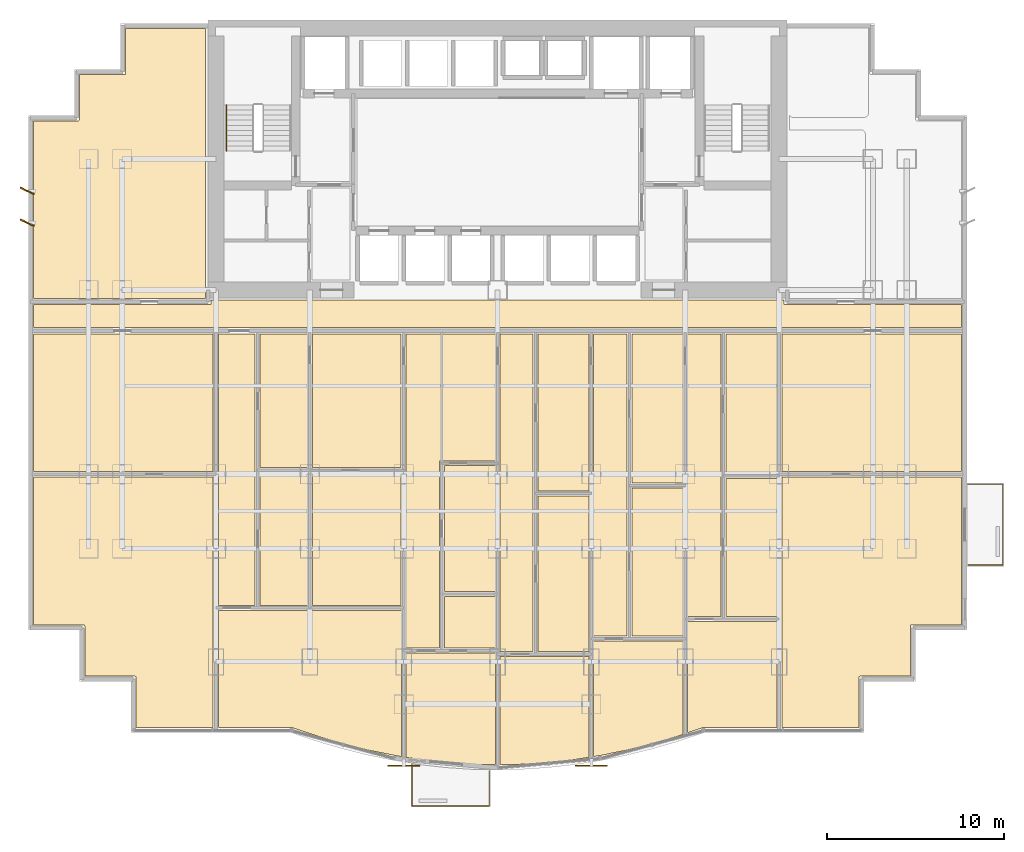
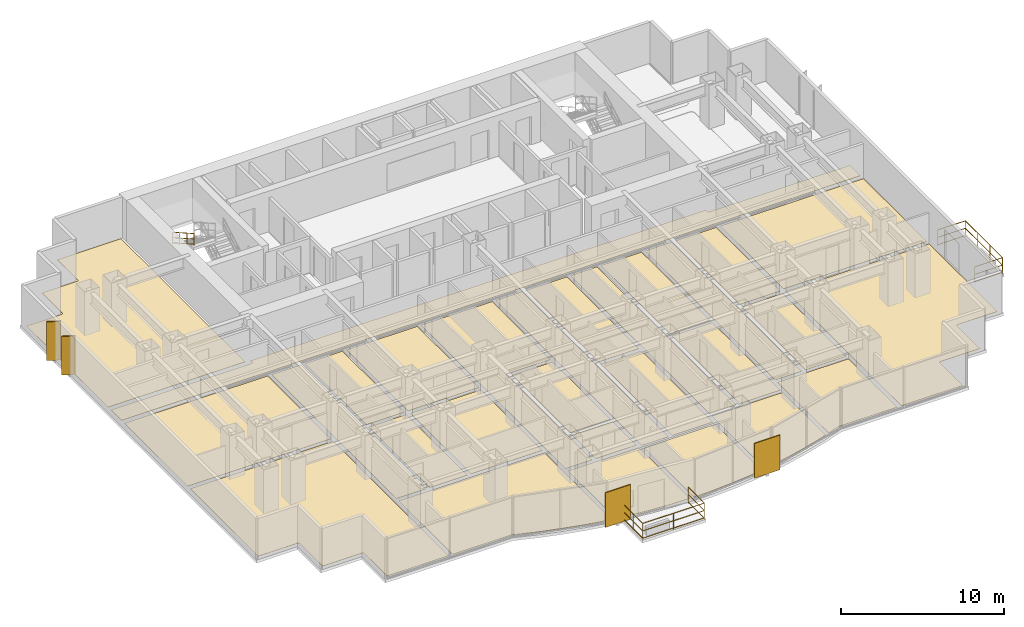
# One storey, part 9 of 10: 28 coverings, 4 shading devices, 3 railings.
"""IFC4 building model written with IfcOpenShell, lengths in metres."""

from ifc_helpers import new_model, si_unit, direction, frame, origin, origin_2d, place, context, subcontext, project, spatial, polyline, rectangle, circle, outline, extrude, source, transform, mapped, material, layer, layer_set, type_object, element, save


model = new_model("IFC4")

# Units and contexts
model_context = context("Model", 3, precision=1e-05, world=origin(), true_north=direction((0.0, 1.0)))
body_context = subcontext(model_context, "Body", "Model", "MODEL_VIEW")
ifc_project = project(units=[si_unit("LENGTHUNIT", "METRE"), si_unit("AREAUNIT", "SQUARE_METRE"), si_unit("VOLUMEUNIT", "CUBIC_METRE"), si_unit("PLANEANGLEUNIT", "RADIAN"), si_unit("MASSUNIT", "GRAM", prefix="KILO")], contexts=[model_context])

# Site, building, storey
site_placement = place(None, origin())
site = spatial("IfcSite", under=ifc_project, at=site_placement, CompositionType="ELEMENT")
building_placement = place(site_placement, origin())
building = spatial("IfcBuilding", under=site, at=building_placement, Name="Qianlan Lanfeng Residences", CompositionType="ELEMENT")
storey_placement = place(building_placement, frame((0.0, 0.0, 53.89990234375)))
storey = spatial("IfcBuildingStorey", under=building, at=storey_placement, Name="L14", CompositionType="ELEMENT", Elevation=53.89990234375)

# Coverings
ifc_material_1 = material(Name="Honed Taitung Granite Stone Flooring", Category="masonry")
ifc_layer_1 = layer(ifc_material_1, 0.030029296875)
ifc_layer_set_1 = layer_set([ifc_layer_1], Name="Honed Taitung Granite Stone Flooring")
covering_type_1 = type_object("IfcCoveringType", Name="FLR-STN-30", PredefinedType="FLOORING", material=ifc_layer_set_1)
covering_1_placement = place(storey_placement, origin())
element("IfcCovering", 1, at=covering_1_placement, inside=storey, type_object=covering_type_1, Name="L14 Residential Corridor Floor Finish", PredefinedType="FLOORING", context=body_context, shape_type="SweptSolid", body=[
    extrude(outline(polyline([(0.2900390625, 23.080078125), (52.7099609375, 23.080078125), (52.7099609375, 24.3701171875), (42.739990234375, 24.3701171875), (42.73291015625, 24.3701171875), (42.72607421875, 24.37109375), (42.719970703125, 24.373046875), (42.712890625, 24.375), (42.70703125, 24.3779296875), (42.700927734375, 24.382080078125), (42.696044921875, 24.385986328125), (42.69091796875, 24.39111328125), (42.68603515625, 24.39599609375), (42.681884765625, 24.40087890625), (42.677978515625, 24.406982421875), (42.675048828125, 24.4130859375), (42.673095703125, 24.419921875), (42.6708984375, 24.426025390625), (42.669921875, 24.43310546875), (42.669921875, 24.43994140625), (42.669921875, 24.64990234375), (10.330078125, 24.64990234375), (10.330078125, 24.43994140625), (10.330078125, 24.43310546875), (10.3291015625, 24.426025390625), (10.326904296875, 24.419921875), (10.324951171875, 24.4130859375), (10.322021484375, 24.406982421875), (10.318115234375, 24.40087890625), (10.31396484375, 24.39599609375), (10.30908203125, 24.39111328125), (10.303955078125, 24.385986328125), (10.299072265625, 24.382080078125), (10.29296875, 24.3779296875), (10.287109375, 24.375), (10.280029296875, 24.373046875), (10.27392578125, 24.37109375), (10.26708984375, 24.3701171875), (10.260009765625, 24.3701171875), (0.2900390625, 24.3701171875), (0.2900390625, 23.080078125)])), origin(), (0.0, 0.0, 1.0), 0.030029296875),
])
ifc_material_2 = material(Name="Slip-Resistant Porcelain Tile Flooring")
ifc_layer_2 = layer(ifc_material_2, 0.02001953125)
ifc_layer_set_2 = layer_set([ifc_layer_2], Name="Slip-Resistant Porcelain Tile Flooring")
covering_type_2 = type_object("IfcCoveringType", Name="FLR-TIL-20", PredefinedType="FLOORING", material=ifc_layer_set_2)
covering_2_placement = place(storey_placement, origin())
element("IfcCovering", 2, at=covering_2_placement, inside=storey, type_object=covering_type_2, Name="L14 Kitchen Floor Finish", PredefinedType="FLOORING", context=body_context, shape_type="SweptSolid", body=[
    extrude(outline(polyline([(13.090087890625, 7.386962890625), (15.760009765625, 7.386962890625), (15.760009765625, 14.884033203125), (13.090087890625, 14.884033203125), (13.090087890625, 7.386962890625)])), origin(), (0.0, 0.0, 1.0), 0.02001953125),
])
covering_3_placement = place(storey_placement, origin())
element("IfcCovering", 3, at=covering_3_placement, inside=storey, type_object=covering_type_2, Name="L14 Bathroom Floor Finish", PredefinedType="FLOORING", context=body_context, shape_type="SweptSolid", body=[
    extrude(outline(polyline([(13.090087890625, 15.1640625), (15.760009765625, 15.1640625), (15.760009765625, 22.72998046875), (13.090087890625, 22.72998046875), (13.090087890625, 15.1640625)])), origin(), (0.0, 0.0, 1.0), 0.02001953125),
])
covering_4_placement = place(storey_placement, origin())
element("IfcCovering", 4, at=covering_4_placement, inside=storey, type_object=covering_type_2, Name="L14 En-Suite Bathroom Floor Finish", PredefinedType="FLOORING", context=body_context, shape_type="SweptSolid", body=[
    extrude(outline(polyline([(23.489990234375, 4.97412109375), (26.3701171875, 4.97412109375), (26.3701171875, 7.89404296875), (23.489990234375, 7.89404296875), (23.489990234375, 4.97412109375)])), origin(), (0.0, 0.0, 1.0), 0.02001953125),
])
ifc_material_3 = material(Name="Engineered Smoked Oak Timber Flooring", Category="wood")
ifc_layer_3 = layer(ifc_material_3, 0.02197265625)
ifc_layer_set_3 = layer_set([ifc_layer_3], Name="Engineered Smoked Oak Timber Flooring")
covering_type_3 = type_object("IfcCoveringType", Name="FLR-TIM-22", PredefinedType="FLOORING", material=ifc_layer_set_3)
covering_5_placement = place(storey_placement, origin())
element("IfcCovering", 5, at=covering_5_placement, inside=storey, type_object=covering_type_3, Name="L14 Living and Dining Room Floor Finish", PredefinedType="FLOORING", context=body_context, shape_type="SweptSolid", body=[
    extrude(outline(polyline([(10.72998046875, 7.10693359375), (10.72998046875, 0.489990234375), (14.885986328125, 0.489990234375), (14.89404296875, 0.489990234375), (14.90087890625, 0.488037109375), (14.908935546875, 0.486083984375), (16.39306640625, -0.014892578125), (17.837890625, -0.43896484375), (19.282958984375, -0.797119140625), (20.72607421875, -1.090087890625), (21.070068359375, -1.14404296875), (21.070068359375, 7.10693359375), (10.72998046875, 7.10693359375)])), origin(), (0.0, 0.0, 1.0), 0.022216796875),
])
covering_6_placement = place(storey_placement, origin())
element("IfcCovering", 6, at=covering_6_placement, inside=storey, type_object=covering_type_3, Name="L14 Family Sitting Room Floor Finish", PredefinedType="FLOORING", context=body_context, shape_type="SweptSolid", body=[
    extrude(outline(polyline([(10.72998046875, 7.386962890625), (12.81005859375, 7.386962890625), (12.81005859375, 22.72998046875), (10.72998046875, 22.72998046875), (10.72998046875, 7.386962890625)])), origin(), (0.0, 0.0, 1.0), 0.022216796875),
])
covering_7_placement = place(storey_placement, origin())
element("IfcCovering", 7, at=covering_7_placement, inside=storey, type_object=covering_type_3, Name="L14 Yoga Studio Floor Finish", PredefinedType="FLOORING", context=body_context, shape_type="SweptSolid", body=[
    extrude(outline(polyline([(16.0400390625, 7.386962890625), (21.06005859375, 7.386962890625), (21.06005859375, 14.884033203125), (16.0400390625, 14.884033203125), (16.0400390625, 7.386962890625)])), origin(), (0.0, 0.0, 1.0), 0.022216796875),
])
covering_8_placement = place(storey_placement, origin())
element("IfcCovering", 8, at=covering_8_placement, inside=storey, type_object=covering_type_3, Name="L14 Club Reading Salon Floor Finish", PredefinedType="FLOORING", context=body_context, shape_type="SweptSolid", body=[
    extrude(outline(polyline([(16.0400390625, 15.1640625), (21.06005859375, 15.1640625), (21.06005859375, 22.72998046875), (16.0400390625, 22.72998046875), (16.0400390625, 15.1640625)])), origin(), (0.0, 0.0, 1.0), 0.022216796875),
])
covering_9_placement = place(storey_placement, origin())
element("IfcCovering", 9, at=covering_9_placement, inside=storey, type_object=covering_type_3, Name="L14 Private Study Floor Finish", PredefinedType="FLOORING", context=body_context, shape_type="SweptSolid", body=[
    extrude(outline(polyline([(23.489990234375, 8.174072265625), (26.3701171875, 8.174072265625), (26.3701171875, 15.277099609375), (23.489990234375, 15.277099609375), (23.489990234375, 8.174072265625)])), origin(), (0.0, 0.0, 1.0), 0.022216796875),
])
covering_10_placement = place(storey_placement, origin())
element("IfcCovering", 10, at=covering_10_placement, inside=storey, type_object=covering_type_3, Name="L14 Villa Family Sitting Room Floor Finish", PredefinedType="FLOORING", context=body_context, shape_type="SweptSolid", body=[
    extrude(outline(polyline([(21.330078125, 4.97412109375), (23.2099609375, 4.97412109375), (23.2099609375, 15.487060546875), (23.2099609375, 15.493896484375), (23.2109375, 15.5009765625), (23.212890625, 15.507080078125), (23.215087890625, 15.513916015625), (23.218017578125, 15.52001953125), (23.221923828125, 15.52587890625), (23.22607421875, 15.531005859375), (23.23095703125, 15.535888671875), (23.236083984375, 15.541015625), (23.240966796875, 15.544921875), (23.2470703125, 15.549072265625), (23.2529296875, 15.552001953125), (23.260009765625, 15.553955078125), (23.26611328125, 15.555908203125), (23.27294921875, 15.556884765625), (23.280029296875, 15.556884765625), (26.3701171875, 15.556884765625), (26.3701171875, 22.72998046875), (21.330078125, 22.72998046875), (21.330078125, 4.97412109375)])), origin(), (0.0, 0.0, 1.0), 0.022216796875),
])
covering_11_placement = place(storey_placement, origin())
element("IfcCovering", 11, at=covering_11_placement, inside=storey, type_object=covering_type_3, Name="L14 Master Bedroom Floor Finish", PredefinedType="FLOORING", context=body_context, shape_type="SweptSolid", body=[
    extrude(outline(polyline([(21.330078125, 4.694091796875), (21.330078125, -1.18505859375), (22.169921875, -1.318115234375), (23.613037109375, -1.47998046875), (25.056884765625, -1.576904296875), (26.3701171875, -1.60693359375), (26.3701171875, 4.694091796875), (21.330078125, 4.694091796875)])), origin(), (0.0, 0.0, 1.0), 0.022216796875),
])
covering_12_placement = place(storey_placement, origin())
element("IfcCovering", 12, at=covering_12_placement, inside=storey, type_object=covering_type_3, Name="L14 Guest Bedroom Floor Finish", PredefinedType="FLOORING", context=body_context, shape_type="SweptSolid", body=[
    extrude(outline(polyline([(26.6298828125, 4.493896484375), (26.6298828125, -1.60693359375), (27.943115234375, -1.576904296875), (29.385986328125, -1.47998046875), (30.830078125, -1.318115234375), (31.669921875, -1.18505859375), (31.669921875, 4.493896484375), (26.6298828125, 4.493896484375)])), origin(), (0.0, 0.0, 1.0), 0.022216796875),
])
covering_13_placement = place(storey_placement, origin())
element("IfcCovering", 13, at=covering_13_placement, inside=storey, type_object=covering_type_3, Name="L14 Private Study Floor Finish", PredefinedType="FLOORING", context=body_context, shape_type="SweptSolid", body=[
    extrude(outline(polyline([(28.7900390625, 4.77392578125), (31.669921875, 4.77392578125), (31.669921875, 13.576904296875), (28.7900390625, 13.576904296875), (28.7900390625, 4.77392578125)])), origin(), (0.0, 0.0, 1.0), 0.022216796875),
])
covering_14_placement = place(storey_placement, origin())
element("IfcCovering", 14, at=covering_14_placement, inside=storey, type_object=covering_type_3, Name="L14 Yoga Studio Floor Finish", PredefinedType="FLOORING", context=body_context, shape_type="SweptSolid", body=[
    extrude(outline(polyline([(28.7900390625, 13.85693359375), (31.669921875, 13.85693359375), (31.669921875, 22.72998046875), (28.7900390625, 22.72998046875), (28.7900390625, 13.85693359375)])), origin(), (0.0, 0.0, 1.0), 0.022216796875),
])
covering_15_placement = place(storey_placement, origin())
element("IfcCovering", 15, at=covering_15_placement, inside=storey, type_object=covering_type_3, Name="L14 Home Office Floor Finish", PredefinedType="FLOORING", context=body_context, shape_type="SweptSolid", body=[
    extrude(outline(polyline([(26.6298828125, 4.77392578125), (28.510009765625, 4.77392578125), (28.510009765625, 22.72998046875), (26.6298828125, 22.72998046875), (26.6298828125, 4.77392578125)])), origin(), (0.0, 0.0, 1.0), 0.022216796875),
])
covering_16_placement = place(storey_placement, origin())
element("IfcCovering", 16, at=covering_16_placement, inside=storey, type_object=covering_type_3, Name="L14 Guest Bedroom Floor Finish", PredefinedType="FLOORING", context=body_context, shape_type="SweptSolid", body=[
    extrude(outline(polyline([(31.929931640625, 5.373046875), (31.929931640625, -1.14404296875), (32.27392578125, -1.090087890625), (33.717041015625, -0.797119140625), (35.160888671875, -0.43896484375), (36.60693359375, -0.014892578125), (36.969970703125, 0.10693359375), (36.969970703125, 5.373046875), (31.929931640625, 5.373046875)])), origin(), (0.0, 0.0, 1.0), 0.022216796875),
])
covering_17_placement = place(storey_placement, origin())
element("IfcCovering", 17, at=covering_17_placement, inside=storey, type_object=covering_type_3, Name="L14 Private Study Floor Finish", PredefinedType="FLOORING", context=body_context, shape_type="SweptSolid", body=[
    extrude(outline(polyline([(34.090087890625, 5.653076171875), (36.969970703125, 5.653076171875), (36.969970703125, 14.01708984375), (34.090087890625, 14.01708984375), (34.090087890625, 5.653076171875)])), origin(), (0.0, 0.0, 1.0), 0.022216796875),
])
covering_18_placement = place(storey_placement, origin())
element("IfcCovering", 18, at=covering_18_placement, inside=storey, type_object=covering_type_3, Name="L14 Yoga Studio Floor Finish", PredefinedType="FLOORING", context=body_context, shape_type="SweptSolid", body=[
    extrude(outline(polyline([(34.090087890625, 14.297119140625), (36.969970703125, 14.297119140625), (36.969970703125, 22.72998046875), (34.090087890625, 22.72998046875), (34.090087890625, 14.297119140625)])), origin(), (0.0, 0.0, 1.0), 0.022216796875),
])
covering_19_placement = place(storey_placement, origin())
element("IfcCovering", 19, at=covering_19_placement, inside=storey, type_object=covering_type_3, Name="L14 Home Office Floor Finish", PredefinedType="FLOORING", context=body_context, shape_type="SweptSolid", body=[
    extrude(outline(polyline([(31.929931640625, 5.653076171875), (33.81005859375, 5.653076171875), (33.81005859375, 22.72998046875), (31.929931640625, 22.72998046875), (31.929931640625, 5.653076171875)])), origin(), (0.0, 0.0, 1.0), 0.022216796875),
])
covering_20_placement = place(storey_placement, origin())
element("IfcCovering", 20, at=covering_20_placement, inside=storey, type_object=covering_type_3, Name="L14 Guest Bedroom Floor Finish", PredefinedType="FLOORING", context=body_context, shape_type="SweptSolid", body=[
    extrude(outline(polyline([(37.22998046875, 6.47998046875), (37.22998046875, 0.195068359375), (38.091064453125, 0.486083984375), (38.09912109375, 0.488037109375), (38.10595703125, 0.489990234375), (38.114013671875, 0.489990234375), (42.27001953125, 0.489990234375), (42.27001953125, 6.47998046875), (37.22998046875, 6.47998046875)])), origin(), (0.0, 0.0, 1.0), 0.022216796875),
])
covering_21_placement = place(storey_placement, origin())
element("IfcCovering", 21, at=covering_21_placement, inside=storey, type_object=covering_type_3, Name="L14 Private Study Floor Finish", PredefinedType="FLOORING", context=body_context, shape_type="SweptSolid", body=[
    extrude(outline(polyline([(39.389892578125, 6.760009765625), (42.27001953125, 6.760009765625), (42.27001953125, 14.570068359375), (39.389892578125, 14.570068359375), (39.389892578125, 6.760009765625)])), origin(), (0.0, 0.0, 1.0), 0.022216796875),
])
covering_22_placement = place(storey_placement, origin())
element("IfcCovering", 22, at=covering_22_placement, inside=storey, type_object=covering_type_3, Name="L14 Yoga Studio Floor Finish", PredefinedType="FLOORING", context=body_context, shape_type="SweptSolid", body=[
    extrude(outline(polyline([(39.389892578125, 14.85009765625), (42.27001953125, 14.85009765625), (42.27001953125, 22.72998046875), (39.389892578125, 22.72998046875), (39.389892578125, 14.85009765625)])), origin(), (0.0, 0.0, 1.0), 0.022216796875),
])
covering_23_placement = place(storey_placement, origin())
element("IfcCovering", 23, at=covering_23_placement, inside=storey, type_object=covering_type_3, Name="L14 Home Office Floor Finish", PredefinedType="FLOORING", context=body_context, shape_type="SweptSolid", body=[
    extrude(outline(polyline([(37.22998046875, 6.760009765625), (39.110107421875, 6.760009765625), (39.110107421875, 22.72998046875), (37.22998046875, 22.72998046875), (37.22998046875, 6.760009765625)])), origin(), (0.0, 0.0, 1.0), 0.022216796875),
])
covering_24_placement = place(storey_placement, origin())
element("IfcCovering", 24, at=covering_24_placement, inside=storey, type_object=covering_type_3, Name="L14 Sunroom Floor Finish", PredefinedType="FLOORING", context=body_context, shape_type="SweptSolid", body=[
    extrude(outline(polyline([(10.43994140625, 14.64990234375), (0.2900390625, 14.64990234375), (0.2900390625, 6.2900390625), (3.1201171875, 6.2900390625), (3.126953125, 6.2900390625), (3.134033203125, 6.2890625), (3.139892578125, 6.287109375), (3.14697265625, 6.284912109375), (3.153076171875, 6.281982421875), (3.158935546875, 6.278076171875), (3.1640625, 6.27392578125), (3.1689453125, 6.26904296875), (3.174072265625, 6.263916015625), (3.177978515625, 6.259033203125), (3.181884765625, 6.2529296875), (3.18505859375, 6.2470703125), (3.18701171875, 6.239990234375), (3.18896484375, 6.23388671875), (3.18994140625, 6.22705078125), (3.18994140625, 6.219970703125), (3.18994140625, 3.389892578125), (6.02001953125, 3.389892578125), (6.027099609375, 3.389892578125), (6.033935546875, 3.388916015625), (6.0400390625, 3.386962890625), (6.047119140625, 3.385009765625), (6.052978515625, 3.382080078125), (6.05908203125, 3.3779296875), (6.06396484375, 3.3740234375), (6.069091796875, 3.368896484375), (6.073974609375, 3.364013671875), (6.077880859375, 3.35888671875), (6.08203125, 3.35302734375), (6.0849609375, 3.346923828125), (6.0869140625, 3.340087890625), (6.089111328125, 3.333984375), (6.090087890625, 3.326904296875), (6.090087890625, 3.320068359375), (6.090087890625, 0.489990234375), (10.43994140625, 0.489990234375), (10.43994140625, 14.64990234375)])), origin(), (0.0, 0.0, 1.0), 0.022216796875),
])
covering_25_placement = place(storey_placement, origin())
element("IfcCovering", 25, at=covering_25_placement, inside=storey, type_object=covering_type_3, Name="L14 Family Sitting Room Floor Finish", PredefinedType="FLOORING", context=body_context, shape_type="SweptSolid", body=[
    extrude(outline(polyline([(10.43994140625, 22.72998046875), (0.2900390625, 22.72998046875), (0.2900390625, 14.949951171875), (10.43994140625, 14.949951171875), (10.43994140625, 22.72998046875)])), origin(), (0.0, 0.0, 1.0), 0.022216796875),
])
covering_26_placement = place(storey_placement, origin())
element("IfcCovering", 26, at=covering_26_placement, inside=storey, type_object=covering_type_3, Name="L14 Sunroom Floor Finish", PredefinedType="FLOORING", context=body_context, shape_type="SweptSolid", body=[
    extrude(outline(polyline([(52.7099609375, 14.64990234375), (42.56005859375, 14.64990234375), (42.56005859375, 0.489990234375), (46.909912109375, 0.489990234375), (46.909912109375, 3.320068359375), (46.909912109375, 3.326904296875), (46.910888671875, 3.333984375), (46.9130859375, 3.340087890625), (46.9150390625, 3.346923828125), (46.91796875, 3.35302734375), (46.922119140625, 3.35888671875), (46.926025390625, 3.364013671875), (46.930908203125, 3.368896484375), (46.93603515625, 3.3740234375), (46.94091796875, 3.3779296875), (46.947021484375, 3.382080078125), (46.952880859375, 3.385009765625), (46.9599609375, 3.386962890625), (46.966064453125, 3.388916015625), (46.972900390625, 3.389892578125), (46.97998046875, 3.389892578125), (49.81005859375, 3.389892578125), (49.81005859375, 6.219970703125), (49.81005859375, 6.22705078125), (49.81103515625, 6.23388671875), (49.81298828125, 6.239990234375), (49.81494140625, 6.2470703125), (49.818115234375, 6.2529296875), (49.822021484375, 6.259033203125), (49.825927734375, 6.263916015625), (49.8310546875, 6.26904296875), (49.8359375, 6.27392578125), (49.841064453125, 6.278076171875), (49.846923828125, 6.281982421875), (49.85302734375, 6.284912109375), (49.860107421875, 6.287109375), (49.865966796875, 6.2890625), (49.873046875, 6.2900390625), (49.8798828125, 6.2900390625), (52.7099609375, 6.2900390625), (52.7099609375, 14.64990234375)])), origin(), (0.0, 0.0, 1.0), 0.022216796875),
])
covering_27_placement = place(storey_placement, origin())
element("IfcCovering", 27, at=covering_27_placement, inside=storey, type_object=covering_type_3, Name="L14 Private Study Floor Finish", PredefinedType="FLOORING", context=body_context, shape_type="SweptSolid", body=[
    extrude(outline(polyline([(52.7099609375, 22.72998046875), (42.56005859375, 22.72998046875), (42.56005859375, 14.949951171875), (52.7099609375, 14.949951171875), (52.7099609375, 22.72998046875)])), origin(), (0.0, 0.0, 1.0), 0.022216796875),
])
covering_28_placement = place(storey_placement, origin())
element("IfcCovering", 28, at=covering_28_placement, inside=storey, type_object=covering_type_3, Name="L14 Yoga Studio Floor Finish", PredefinedType="FLOORING", context=body_context, shape_type="SweptSolid", body=[
    extrude(outline(polyline([(10.0, 24.719970703125), (10.0, 39.9599609375), (5.489990234375, 39.9599609375), (5.489990234375, 37.429931640625), (5.489990234375, 37.423095703125), (5.489013671875, 37.416015625), (5.487060546875, 37.409912109375), (5.485107421875, 37.403076171875), (5.48193359375, 37.39697265625), (5.47802734375, 37.39111328125), (5.47412109375, 37.385986328125), (5.468994140625, 37.381103515625), (5.464111328125, 37.3759765625), (5.458984375, 37.3720703125), (5.452880859375, 37.367919921875), (5.447021484375, 37.364990234375), (5.43994140625, 37.363037109375), (5.43408203125, 37.361083984375), (5.427001953125, 37.360107421875), (5.419921875, 37.360107421875), (2.889892578125, 37.360107421875), (2.889892578125, 34.830078125), (2.889892578125, 34.822998046875), (2.888916015625, 34.81591796875), (2.886962890625, 34.81005859375), (2.885009765625, 34.802978515625), (2.882080078125, 34.797119140625), (2.8779296875, 34.791015625), (2.8740234375, 34.785888671875), (2.868896484375, 34.781005859375), (2.864013671875, 34.77587890625), (2.85888671875, 34.77197265625), (2.85302734375, 34.76806640625), (2.846923828125, 34.764892578125), (2.840087890625, 34.762939453125), (2.833984375, 34.760986328125), (2.826904296875, 34.760009765625), (2.820068359375, 34.760009765625), (0.2900390625, 34.760009765625), (0.2900390625, 24.719970703125), (10.0, 24.719970703125)])), origin(), (0.0, 0.0, 1.0), 0.022216796875),
])

# Railings
ifc_material_4 = material(Name="Anodised Bronze Aluminium and Laminated Glass Guard Balustrade", Category="aluminium")
railing_type_1 = type_object("IfcRailingType", Name="GR-EXT-1220", PredefinedType="BALUSTRADE", material=ifc_material_4)
railing_1_placement = place(storey_placement, frame((26.030029296875, -1.958984375, 0.0)))
element("IfcRailing", 29, at=railing_1_placement, inside=storey, type_object=railing_type_1, Name="L14 Terrace Safety Guard GR-L14-SB-C", PredefinedType="BALUSTRADE", context=body_context, shape_type="SweptSolid", body=[
    extrude(circle(Radius=0.02490234375, at=origin_2d()), frame((0.0, 0.0, 0.0849609375), z_axis=(0.0, -1.0, 0.0), x_axis=(1.0, 0.0, 0.0)), (0.0, 0.0, 1.0), 1.970947265625),
    extrude(circle(Radius=0.02490234375, at=origin_2d()), frame((0.0, 0.0, 0.63427734375), z_axis=(0.0, -1.0, 0.0), x_axis=(1.0, 0.0, 0.0)), (0.0, 0.0, 1.0), 1.970947265625),
    extrude(circle(Radius=0.02490234375, at=origin_2d()), frame((0.0, 0.0, 1.19482421875), z_axis=(0.0, -1.0, 0.0), x_axis=(1.0, 0.0, 0.0)), (0.0, 0.0, 1.0), 1.970947265625),
    extrude(circle(Radius=0.02490234375, at=origin_2d()), frame((0.0, -1.970947265625, 0.0849609375), z_axis=(-1.0, 0.0, 0.0), x_axis=(0.0, -1.0, 0.0)), (0.0, 0.0, 1.0), 4.360107421875),
    extrude(circle(Radius=0.02490234375, at=origin_2d()), frame((0.0, -1.970947265625, 0.63427734375), z_axis=(-1.0, 0.0, 0.0), x_axis=(0.0, -1.0, 0.0)), (0.0, 0.0, 1.0), 4.360107421875),
    extrude(circle(Radius=0.02490234375, at=origin_2d()), frame((0.0, -1.970947265625, 1.19482421875), z_axis=(-1.0, 0.0, 0.0), x_axis=(0.0, -1.0, 0.0)), (0.0, 0.0, 1.0), 4.360107421875),
    extrude(circle(Radius=0.02490234375, at=origin_2d()), frame((-4.360107421875, -1.970947265625, 0.0849609375), z_axis=(0.0, 1.0, 0.0), x_axis=(-1.0, 0.0, 0.0)), (0.0, 0.0, 1.0), 2.326904296875),
    extrude(circle(Radius=0.02490234375, at=origin_2d()), frame((-4.360107421875, -1.970947265625, 0.63427734375), z_axis=(0.0, 1.0, 0.0), x_axis=(-1.0, 0.0, 0.0)), (0.0, 0.0, 1.0), 2.326904296875),
    extrude(circle(Radius=0.02490234375, at=origin_2d()), frame((-4.360107421875, -1.970947265625, 1.19482421875), z_axis=(0.0, 1.0, 0.0), x_axis=(-1.0, 0.0, 0.0)), (0.0, 0.0, 1.0), 2.326904296875),
    extrude(circle(Radius=0.02099609375, at=origin_2d()), origin(), (0.0, 0.0, 1.0), 1.169921875),
    extrude(circle(Radius=0.02099609375, at=origin_2d()), frame((0.0, -1.970947265625, 0.0)), (0.0, 0.0, 1.0), 1.169921875),
    extrude(circle(Radius=0.02099609375, at=origin_2d()), frame((-2.18017578125, -1.970947265625, 0.0)), (0.0, 0.0, 1.0), 1.169921875),
    extrude(circle(Radius=0.02099609375, at=origin_2d()), frame((-4.360107421875, -1.970947265625, 0.0)), (0.0, 0.0, 1.0), 1.169921875),
    extrude(circle(Radius=0.02099609375, at=origin_2d()), frame((-4.360107421875, -0.8076171875, 0.0)), (0.0, 0.0, 1.0), 1.169921875),
    extrude(circle(Radius=0.02099609375, at=origin_2d()), frame((-4.360107421875, 0.35595703125, 0.0)), (0.0, 0.0, 1.0), 1.169921875),
])
railing_2_placement = place(storey_placement, frame((53.070068359375, 14.22998046875, 0.0)))
element("IfcRailing", 30, at=railing_2_placement, inside=storey, type_object=railing_type_1, Name="L14 Terrace Safety Guard GR-L14-EB-S", PredefinedType="BALUSTRADE", context=body_context, shape_type="SweptSolid", body=[
    extrude(circle(Radius=0.02490234375, at=origin_2d()), frame((0.0, 0.0, 0.0849609375), z_axis=(1.0, 0.0, 0.0), x_axis=(0.0, 1.0, 0.0)), (0.0, 0.0, 1.0), 1.9599609375),
    extrude(circle(Radius=0.02490234375, at=origin_2d()), frame((0.0, 0.0, 0.63427734375), z_axis=(1.0, 0.0, 0.0), x_axis=(0.0, 1.0, 0.0)), (0.0, 0.0, 1.0), 1.9599609375),
    extrude(circle(Radius=0.02490234375, at=origin_2d()), frame((0.0, 0.0, 1.19482421875), z_axis=(1.0, 0.0, 0.0), x_axis=(0.0, 1.0, 0.0)), (0.0, 0.0, 1.0), 1.9599609375),
    extrude(circle(Radius=0.02490234375, at=origin_2d()), frame((1.9599609375, 0.0, 0.0849609375), z_axis=(0.0, -1.0, 0.0), x_axis=(1.0, 0.0, 0.0)), (0.0, 0.0, 1.0), 4.56005859375),
    extrude(circle(Radius=0.02490234375, at=origin_2d()), frame((1.9599609375, 0.0, 0.63427734375), z_axis=(0.0, -1.0, 0.0), x_axis=(1.0, 0.0, 0.0)), (0.0, 0.0, 1.0), 4.56005859375),
    extrude(circle(Radius=0.02490234375, at=origin_2d()), frame((1.9599609375, 0.0, 1.19482421875), z_axis=(0.0, -1.0, 0.0), x_axis=(1.0, 0.0, 0.0)), (0.0, 0.0, 1.0), 4.56005859375),
    extrude(circle(Radius=0.02490234375, at=origin_2d()), frame((1.9599609375, -4.56005859375, 0.0849609375), z_axis=(-1.0, 0.0, 0.0), x_axis=(0.0, -1.0, 0.0)), (0.0, 0.0, 1.0), 1.9599609375),
    extrude(circle(Radius=0.02490234375, at=origin_2d()), frame((1.9599609375, -4.56005859375, 0.63427734375), z_axis=(-1.0, 0.0, 0.0), x_axis=(0.0, -1.0, 0.0)), (0.0, 0.0, 1.0), 1.9599609375),
    extrude(circle(Radius=0.02490234375, at=origin_2d()), frame((1.9599609375, -4.56005859375, 1.19482421875), z_axis=(-1.0, 0.0, 0.0), x_axis=(0.0, -1.0, 0.0)), (0.0, 0.0, 1.0), 1.9599609375),
    extrude(circle(Radius=0.02099609375, at=origin_2d()), origin(), (0.0, 0.0, 1.0), 1.169921875),
    extrude(circle(Radius=0.02099609375, at=origin_2d()), frame((1.9599609375, 0.0, 0.0)), (0.0, 0.0, 1.0), 1.169921875),
    extrude(circle(Radius=0.02099609375, at=origin_2d()), frame((1.9599609375, -1.52001953125, 0.0)), (0.0, 0.0, 1.0), 1.169921875),
    extrude(circle(Radius=0.02099609375, at=origin_2d()), frame((1.9599609375, -3.0400390625, 0.0)), (0.0, 0.0, 1.0), 1.169921875),
    extrude(circle(Radius=0.02099609375, at=origin_2d()), frame((1.9599609375, -4.56005859375, 0.0)), (0.0, 0.0, 1.0), 1.169921875),
    extrude(circle(Radius=0.02099609375, at=origin_2d()), frame((0.0, -4.56005859375, 0.0)), (0.0, 0.0, 1.0), 1.169921875),
])
ifc_material_5 = material(Name="Brushed Stainless Steel Handrail", Category="steel")
railing_type_2 = type_object("IfcRailingType", Name="HR-ST-920", PredefinedType="HANDRAIL", material=ifc_material_5)
railing_3_placement = place(storey_placement, frame((11.18994140625, 35.659912109375, 1.815185546875)))
element("IfcRailing", 31, at=railing_3_placement, inside=storey, type_object=railing_type_2, Name="L14 ST-1 stair handrail 2", PredefinedType="HANDRAIL", context=body_context, shape_type="SweptSolid", body=[
    extrude(circle(Radius=0.02392578125, at=origin_2d()), frame((0.0, 0.0, 0.083984375), z_axis=(0.0, -0.869172267526, 0.494509422927), x_axis=(1.0, 0.0, 0.0)), (0.0, 0.0, 1.0), 3.002685546875),
    extrude(circle(Radius=0.02392578125, at=origin_2d()), frame((0.0, 0.0, 0.468017578125), z_axis=(0.0, -0.869172267526, 0.494509422927), x_axis=(1.0, 0.0, 0.0)), (0.0, 0.0, 1.0), 3.002685546875),
    extrude(circle(Radius=0.02392578125, at=origin_2d()), frame((0.0, 0.0, 0.8759765625), z_axis=(0.0, -0.869172267526, 0.494509422927), x_axis=(1.0, 0.0, 0.0)), (0.0, 0.0, 1.0), 3.002685546875),
    extrude(circle(Radius=0.02099609375, at=origin_2d()), origin(), (0.0, 0.0, 1.0), 0.851806640625),
    extrude(circle(Radius=0.02099609375, at=origin_2d()), frame((0.0, -0.869873046875, 0.494873046875)), (0.0, 0.0, 1.0), 0.851806640625),
    extrude(circle(Radius=0.02099609375, at=origin_2d()), frame((0.0, -1.739990234375, 0.989990234375)), (0.0, 0.0, 1.0), 0.851806640625),
    extrude(circle(Radius=0.02099609375, at=origin_2d()), frame((0.0, -2.60986328125, 1.48486328125)), (0.0, 0.0, 1.0), 0.851806640625),
])

# Shading devices
ifc_material_6 = material(Name="Perforated Bronze Aluminium Solar Screen", Category="aluminium")
shading_device_type_1 = type_object("IfcShadingDeviceType", Name="SCR-BRZ-1800", PredefinedType="JALOUSIE", material=ifc_material_6)
shared_shape_1 = source(origin(), body_context, "Body", "SweptSolid", [
    extrude(rectangle(XDim=1.800048828125, YDim=0.06005859375, at=origin_2d()), origin(), (0.0, 0.0, 1.0), 2.60009765625),
])
for number, where, z_axis, x_axis, name in (
    (32, (21.199951171875, -1.659912109375, 0.0), (0.0, 0.0, 1.0), (1.0, 0.0, 0.0), "L14 Perforated Bronze Solar Screen 1"),
    (33, (31.800048828125, -1.659912109375, 0.0), (0.0, 0.0, 1.0), (1.0, 0.0, 0.0), "L14 Perforated Bronze Solar Screen 2"),
):
    element("IfcShadingDevice", number, at=place(storey_placement, frame(where, z_axis=z_axis, x_axis=x_axis)), inside=storey, type_object=shading_device_type_1, Name=name, PredefinedType="JALOUSIE", context=body_context, shape_type="MappedRepresentation", body=[
        mapped(shared_shape_1, transform((0.0, 0.0, 0.0), scale=1.0)),
    ])
ifc_material_7 = material(Name="Anodised Bronze Aluminium Solar Fin", Category="aluminium")
shading_device_type_2 = type_object("IfcShadingDeviceType", Name="FIN-BRZ-850", PredefinedType="SHUTTER", material=ifc_material_7)
shared_shape_2 = source(origin(), body_context, "Body", "SweptSolid", [
    extrude(rectangle(XDim=0.85009765625, YDim=0.080078125, at=origin_2d()), origin(), (0.0, 0.0, 1.0), 2.89990234375),
])
for number, where, z_axis, x_axis, name in (
    (34, (-0.070068359375, 29.0, 0.000244140625), (0.0, 0.0, 1.0), (0.898794046299, -0.438371146789, 0.0), "L14 Raked Bronze Solar Fin W1"),
    (35, (-0.070068359375, 30.800048828125, 0.000244140625), (0.0, 0.0, 1.0), (0.898794046299, -0.438371146789, 0.0), "L14 Raked Bronze Solar Fin W2"),
):
    element("IfcShadingDevice", number, at=place(storey_placement, frame(where, z_axis=z_axis, x_axis=x_axis)), inside=storey, type_object=shading_device_type_2, Name=name, PredefinedType="SHUTTER", context=body_context, shape_type="MappedRepresentation", body=[
        mapped(shared_shape_2, transform((0.0, 0.0, 0.0), scale=1.0)),
    ])

save(model, "model.ifc")
